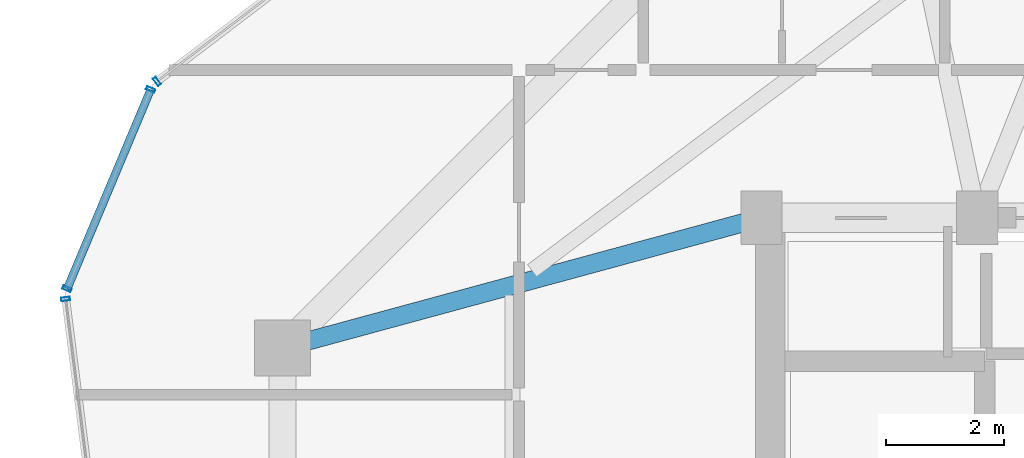
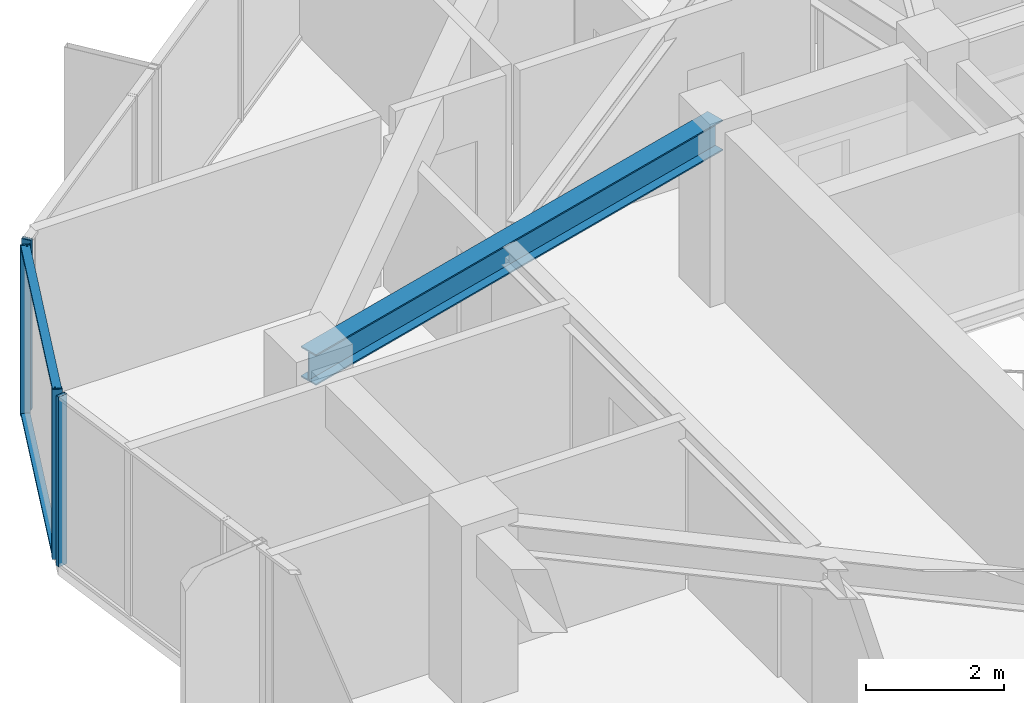
# One storey, part 14 of 32: 6 members, 1 beam, 3 elements without a shape of their own.
"""IFC4 building model written with IfcOpenShell, lengths in metres."""

from ifc_helpers import new_model, si_unit, direction, frame, origin, origin_2d, place, context, subcontext, project, spatial, hollow_rectangle, i_section, extrude, source, transform, mapped, material, layer, layer_set, material_profile, profile_set, type_object, element, aggregate, save


model = new_model("IFC4")

# Units and contexts
model_context = context("Model", 3, precision=1e-05, world=origin(), true_north=direction((0.0, 1.0)))
body_context = subcontext(model_context, "Body", "Model", "MODEL_VIEW")
ifc_project = project(units=[si_unit("LENGTHUNIT", "METRE"), si_unit("AREAUNIT", "SQUARE_METRE"), si_unit("VOLUMEUNIT", "CUBIC_METRE"), si_unit("PLANEANGLEUNIT", "RADIAN"), si_unit("MASSUNIT", "GRAM", prefix="KILO")], contexts=[model_context])

# Site, building, storey
site_placement = place(None, origin())
site = spatial("IfcSite", under=ifc_project, at=site_placement, CompositionType="ELEMENT")
building_placement = place(site_placement, origin())
building = spatial("IfcBuilding", under=site, at=building_placement, Name="Veraguas Prism Commons", CompositionType="ELEMENT")
storey_placement = place(building_placement, frame((0.0, 0.0, 182.10009765625)))
storey = spatial("IfcBuildingStorey", under=building, at=storey_placement, Name="L51", CompositionType="ELEMENT", Elevation=182.10009765625)

# Beam
ifc_material_1 = material(Name="Steel ASTM A992 Grade 50", Category="steel")
ifc_material_profile_1 = material_profile(ifc_material_1, i_section(OverallWidth=0.31103515625, OverallDepth=0.5458984375, WebThickness=0.0146484375, FlangeThickness=0.023681640625, at=origin_2d()), Name="W530X165")
ifc_profile_set_1 = profile_set([ifc_material_profile_1], Name="Steel ASTM A992 Grade 50")
beam_type = type_object("IfcBeamType", Name="Zone 3 Radial Girder W530x165", PredefinedType="BEAM", material=ifc_profile_set_1)
beam_placement = place(storey_placement, frame((9.10009765625, 28.800048828125, 2.741943359375), z_axis=(0.965038506703, 0.262108146725, 0.0), x_axis=(-0.262108146725, 0.965038506703, 0.0)))
element("IfcBeam", 1, at=beam_placement, inside=storey, type_object=beam_type, Name="Radial Floor Girder L51-RD07", PredefinedType="BEAM", context=body_context, shape_type="SweptSolid", body=[
    extrude(i_section(OverallWidth=0.31103515625, OverallDepth=0.5458984375, WebThickness=0.0146484375, FlangeThickness=0.023681640625, at=origin_2d()), origin(), (0.0, 0.0, 1.0), 8.393310546875),
])

# Curtain wall, member
ifc_material_2 = material(Name="Anodised aluminium EN AW-6063 T6", Category="aluminium")
ifc_layer = layer(ifc_material_2, 0.14990234375, Name="Unitised Flush Curtain Wall Zone 3", Category="aluminium")
ifc_layer_set = layer_set([ifc_layer], Name="Anodised aluminium EN AW-6063 T6")
curtain_wall_type = type_object("IfcCurtainWallType", Name="Unitised Flush Curtain Wall Zone 3", PredefinedType="NOTDEFINED", material=ifc_layer_set)
curtain_wall_1_placement = place(storey_placement, origin())
curtain_wall_1 = element("IfcCurtainWall", 2, at=curtain_wall_1_placement, inside=storey, type_object=curtain_wall_type, Name="Tower Facade Curtain Wall L51-F2", PredefinedType="NOTDEFINED")
ifc_material_profile_2 = material_profile(ifc_material_2, hollow_rectangle(XDim=0.06005859375, YDim=0.14990234375, WallThickness=0.0029296875, at=origin_2d()), Name="AL60X150X3")
ifc_profile_set_2 = profile_set([ifc_material_profile_2], Name="Anodised aluminium EN AW-6063 T6")
member_type_1 = type_object("IfcMemberType", Name="Curtain Wall Mullion Upper AL 60x150x3", PredefinedType="MULLION", material=ifc_profile_set_2)
shared_shape_1 = source(origin(), body_context, "Body", "SweptSolid", [
    extrude(hollow_rectangle(XDim=0.06005859375, YDim=0.14990234375, WallThickness=0.0029296875, at=origin_2d()), origin(), (0.0, 0.0, 1.0), 3.014892578125),
])
member_1_placement = place(storey_placement, frame((6.9765625, 33.3056640625, 0.0), z_axis=(0.0, 0.0, 1.0), x_axis=(-0.796104465545, -0.605159218668, 0.0)))
member_1 = element("IfcMember", 3, at=member_1_placement, type_object=member_type_1, Name="CW-Z3 Mullion 5", PredefinedType="MULLION", context=body_context, shape_type="MappedRepresentation", body=[
    mapped(shared_shape_1, transform((0.0, 0.0, 0.0), scale=1.0)),
])
aggregate(curtain_wall_1, [member_1])

curtain_wall_2_placement = place(storey_placement, origin())
curtain_wall_2 = element("IfcCurtainWall", 4, at=curtain_wall_2_placement, inside=storey, type_object=curtain_wall_type, Name="Tower Facade Curtain Wall L51-F3", PredefinedType="NOTDEFINED")
member_2_placement = place(storey_placement, frame((5.432861328125, 29.626220703125, 0.0), z_axis=(0.0, 0.0, 1.0), x_axis=(0.126018904031, -0.992027840248, 0.0)))
member_2 = element("IfcMember", 5, at=member_2_placement, type_object=member_type_1, Name="CW-Z3 Mullion 1", PredefinedType="MULLION", context=body_context, shape_type="MappedRepresentation", body=[
    mapped(shared_shape_1, transform((0.0, 0.0, 0.0), scale=1.0)),
])
aggregate(curtain_wall_2, [member_2])

# Curtain wall, members
curtain_wall_3_placement = place(storey_placement, origin())
curtain_wall_3 = element("IfcCurtainWall", 6, at=curtain_wall_3_placement, inside=storey, type_object=curtain_wall_type, Name="Chamfer Curtain Wall L51-C3", PredefinedType="NOTDEFINED")
member_3_placement = place(storey_placement, frame((6.869873046875, 33.168212890625, 0.0), z_axis=(0.0, 0.0, 1.0), x_axis=(-0.386870300752, -0.922134139047, 0.0)))
member_3 = element("IfcMember", 7, at=member_3_placement, type_object=member_type_1, Name="CW-Z3 Mullion 1", PredefinedType="MULLION", context=body_context, shape_type="MappedRepresentation", body=[
    mapped(shared_shape_1, transform((0.0, 0.0, 0.0), scale=1.0)),
])
member_4_placement = place(storey_placement, frame((5.456298828125, 29.79833984375, 0.0), z_axis=(0.0, 0.0, 1.0), x_axis=(-0.386870300752, -0.922134139047, 0.0)))
member_4 = element("IfcMember", 8, at=member_4_placement, type_object=member_type_1, Name="CW-Z3 Mullion 2", PredefinedType="MULLION", context=body_context, shape_type="MappedRepresentation", body=[
    mapped(shared_shape_1, transform((0.0, 0.0, 0.0), scale=1.0)),
])
ifc_material_profile_3 = material_profile(ifc_material_2, hollow_rectangle(XDim=0.054931640625, YDim=0.135009765625, WallThickness=0.0029296875, at=origin_2d()), Name="AL55X135X3")
ifc_profile_set_3 = profile_set([ifc_material_profile_3], Name="Anodised aluminium EN AW-6063 T6")
member_type_2 = type_object("IfcMemberType", Name="Curtain Wall Transom Standard AL 55x135x3", PredefinedType="USERDEFINED", material=ifc_profile_set_3)
shared_shape_2 = source(origin(), body_context, "Body", "SweptSolid", [
    extrude(hollow_rectangle(XDim=0.054931640625, YDim=0.135009765625, WallThickness=0.0029296875, at=origin_2d()), origin(), (0.0, 0.0, 1.0), 3.654296875),
])
member_5_placement = place(storey_placement, frame((6.869873046875, 33.168212890625, 0.02734375), z_axis=(-0.386820146783, -0.922155178938, 0.0), x_axis=(0.0, 0.0, 1.0)))
member_5 = element("IfcMember", 9, at=member_5_placement, type_object=member_type_2, Name="CW-Z3 Transom 1", ObjectType="TRANSOM", PredefinedType="USERDEFINED", context=body_context, shape_type="MappedRepresentation", body=[
    mapped(shared_shape_2, transform((0.0, 0.0, 0.0), scale=1.0)),
])
member_6_placement = place(storey_placement, frame((6.869873046875, 33.168212890625, 2.9873046875), z_axis=(-0.386820146783, -0.922155178938, 0.0), x_axis=(0.0, 0.0, 1.0)))
member_6 = element("IfcMember", 10, at=member_6_placement, type_object=member_type_2, Name="CW-Z3 Transom 2", ObjectType="TRANSOM", PredefinedType="USERDEFINED", context=body_context, shape_type="MappedRepresentation", body=[
    mapped(shared_shape_2, transform((0.0, 0.0, 0.0), scale=1.0)),
])
aggregate(curtain_wall_3, [member_3, member_4, member_5, member_6])

save(model, "model.ifc")
